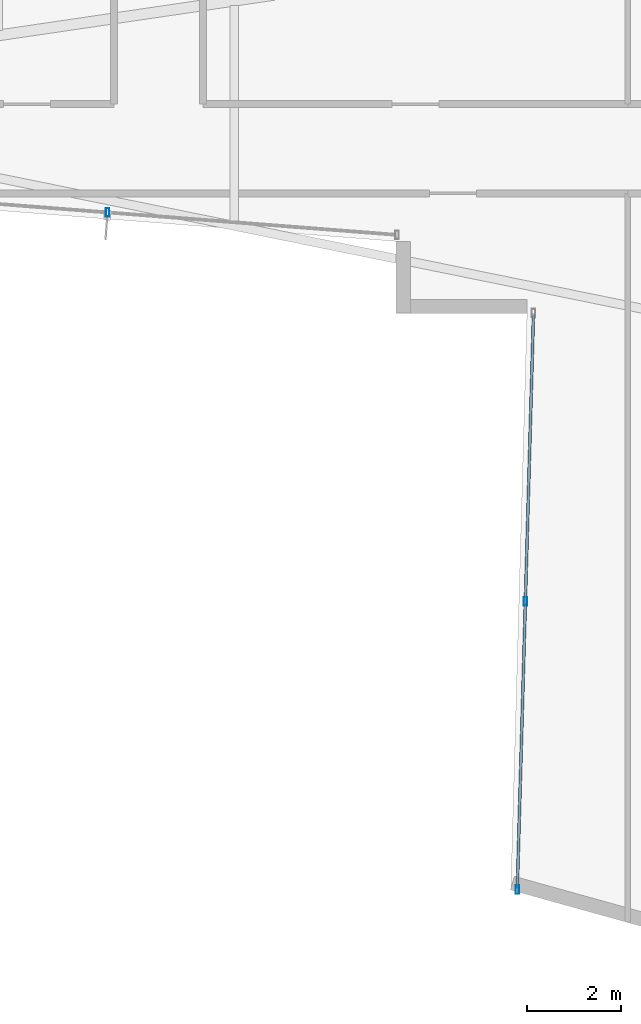
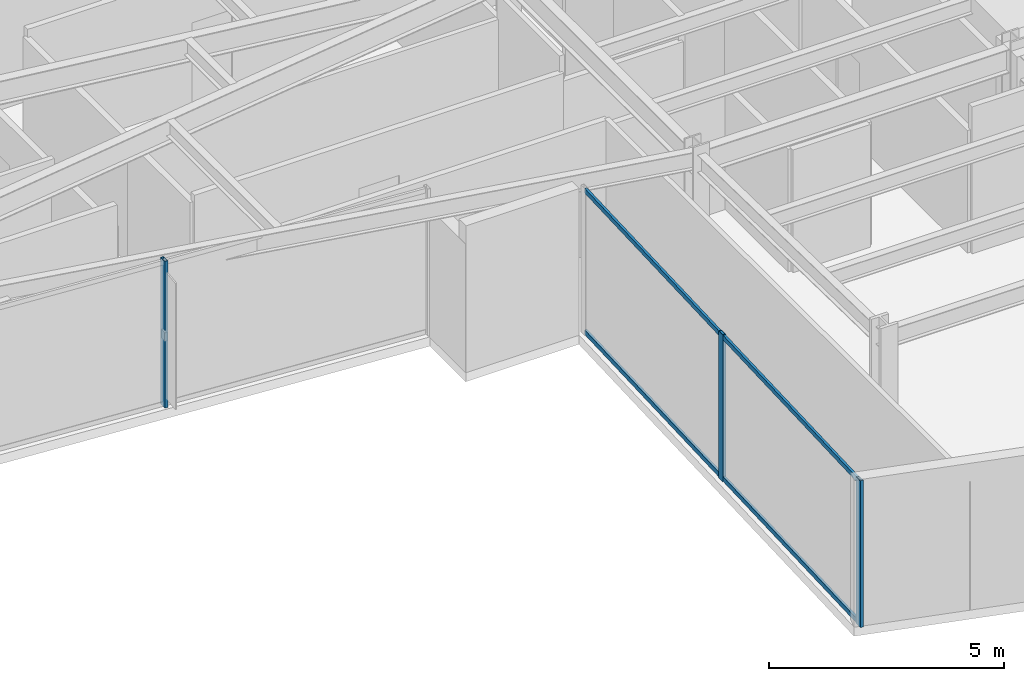
# One storey, part 4 of 30: 5 members, 2 elements without a shape of their own.
"""IFC4 building model written with IfcOpenShell, lengths in metres."""

from ifc_helpers import new_model, si_unit, direction, frame, origin, origin_2d, place, context, subcontext, project, spatial, hollow_rectangle, extrude, material, layer, layer_set, material_profile, profile_set, type_object, element, aggregate, save


model = new_model("IFC4")

# Units and contexts
model_context = context("Model", 3, precision=1e-05, world=origin(), true_north=direction((0.0, 1.0)))
body_context = subcontext(model_context, "Body", "Model", "MODEL_VIEW")
ifc_project = project(units=[si_unit("LENGTHUNIT", "METRE"), si_unit("AREAUNIT", "SQUARE_METRE"), si_unit("VOLUMEUNIT", "CUBIC_METRE"), si_unit("PLANEANGLEUNIT", "RADIAN"), si_unit("MASSUNIT", "GRAM", prefix="KILO")], contexts=[model_context])

# Site, building, storey
site_placement = place(None, origin())
site = spatial("IfcSite", under=ifc_project, at=site_placement, CompositionType="ELEMENT")
building_placement = place(site_placement, origin())
building = spatial("IfcBuilding", under=site, at=building_placement, Name="Veymaron Broadcast Tower", CompositionType="ELEMENT")
storey_placement = place(building_placement, frame((0.0, 0.0, 54.0)))
storey = spatial("IfcBuildingStorey", under=building, at=storey_placement, Name="L11", CompositionType="ELEMENT", Elevation=54.0)

# Curtain wall, member
ifc_material_1 = material(Name="Anodised aluminium AA 6063-T6 and laminated low-E dark glass", Category="aluminium")
ifc_layer = layer(ifc_material_1, 0.179931640625)
ifc_layer_set = layer_set([ifc_layer], Name="Anodised aluminium AA 6063-T6 and laminated low-E dark glass")
curtain_wall_type = type_object("IfcCurtainWallType", Name="CW-SYS-02", PredefinedType="NOTDEFINED", material=ifc_layer_set)
curtain_wall_1_placement = place(storey_placement, origin())
curtain_wall_1 = element("IfcCurtainWall", 1, at=curtain_wall_1_placement, inside=storey, type_object=curtain_wall_type, Name="L11 dark-glass curtain wall CW-L11-E14-1", PredefinedType="NOTDEFINED")
ifc_material_2 = material(Name="Anodised aluminium AA 6063-T6", Category="aluminium")
ifc_material_profile_1 = material_profile(ifc_material_2, hollow_rectangle(XDim=0.074951171875, YDim=0.179931640625, WallThickness=0.0048828125, at=origin_2d()), Name="AL180X75X5")
ifc_profile_set_1 = profile_set([ifc_material_profile_1], Name="Anodised aluminium AA 6063-T6")
member_type_1 = type_object("IfcMemberType", Name="CW-MUL-02", PredefinedType="MULLION", material=ifc_profile_set_1)
member_1_placement = place(storey_placement, frame((19.36279296875, 18.142333984375, 0.0), z_axis=(0.0, 0.0, 1.0), x_axis=(1.0, 0.0, 0.0)))
member_1 = element("IfcMember", 2, at=member_1_placement, type_object=member_type_1, Name="CW-L11-E14-1 mullion 2", PredefinedType="MULLION", context=body_context, shape_type="SweptSolid", body=[
    extrude(hollow_rectangle(XDim=0.074951171875, YDim=0.179931640625, WallThickness=0.0048828125, at=origin_2d()), origin(), (0.0, 0.0, 1.0), 3.81005859375),
])
aggregate(curtain_wall_1, [member_1])

# Curtain wall, members
curtain_wall_2_placement = place(storey_placement, origin())
curtain_wall_2 = element("IfcCurtainWall", 3, at=curtain_wall_2_placement, inside=storey, type_object=curtain_wall_type, Name="L11 dark-glass curtain wall CW-L11-E17-1", PredefinedType="NOTDEFINED")
member_2_placement = place(storey_placement, frame((28.2724609375, 9.84814453125, 0.0), z_axis=(0.0, 0.0, 1.0), x_axis=(1.0, 0.0, 0.0)))
member_2 = element("IfcMember", 4, at=member_2_placement, type_object=member_type_1, Name="CW-L11-E17-1 mullion 1", PredefinedType="MULLION", context=body_context, shape_type="SweptSolid", body=[
    extrude(hollow_rectangle(XDim=0.074951171875, YDim=0.179931640625, WallThickness=0.0048828125, at=origin_2d()), origin(), (0.0, 0.0, 1.0), 3.81005859375),
])
member_3_placement = place(storey_placement, frame((28.099609375, 3.7001953125, 0.0), z_axis=(0.0, 0.0, 1.0), x_axis=(1.0, 0.0, 0.0)))
member_3 = element("IfcMember", 5, at=member_3_placement, type_object=member_type_1, Name="CW-L11-E17-1 mullion 2", PredefinedType="MULLION", context=body_context, shape_type="SweptSolid", body=[
    extrude(hollow_rectangle(XDim=0.074951171875, YDim=0.179931640625, WallThickness=0.0048828125, at=origin_2d()), origin(), (0.0, 0.0, 1.0), 3.81005859375),
])
ifc_material_profile_2 = material_profile(ifc_material_2, hollow_rectangle(XDim=0.06005859375, YDim=0.1201171875, WallThickness=0.00390625, at=origin_2d()), Name="AL120X60X4")
ifc_profile_set_2 = profile_set([ifc_material_profile_2], Name="Anodised aluminium AA 6063-T6")
member_type_2 = type_object("IfcMemberType", Name="CW-TRN-02", PredefinedType="USERDEFINED", material=ifc_profile_set_2)
member_4_placement = place(storey_placement, frame((28.444091796875, 15.946044921875, 0.070068359375), z_axis=(-0.028134189619, -0.999604155341, 0.0), x_axis=(0.999604155341, -0.028134189619, 0.0)))
member_4 = element("IfcMember", 6, at=member_4_placement, type_object=member_type_2, Name="CW-L11-E17-1 transom B", ObjectType="TRANSOM", PredefinedType="USERDEFINED", context=body_context, shape_type="SweptSolid", body=[
    extrude(hollow_rectangle(XDim=0.06005859375, YDim=0.1201171875, WallThickness=0.00390625, at=origin_2d()), origin(), (0.0, 0.0, 1.0), 12.200927734375),
])
member_5_placement = place(storey_placement, frame((28.444091796875, 15.946044921875, 3.739990234375), z_axis=(-0.028134189619, -0.999604155341, 0.0), x_axis=(0.999604155341, -0.028134189619, 0.0)))
member_5 = element("IfcMember", 7, at=member_5_placement, type_object=member_type_2, Name="CW-L11-E17-1 transom T", ObjectType="TRANSOM", PredefinedType="USERDEFINED", context=body_context, shape_type="SweptSolid", body=[
    extrude(hollow_rectangle(XDim=0.06005859375, YDim=0.1201171875, WallThickness=0.00390625, at=origin_2d()), origin(), (0.0, 0.0, 1.0), 12.200927734375),
])
aggregate(curtain_wall_2, [member_2, member_3, member_4, member_5])

save(model, "model.ifc")
